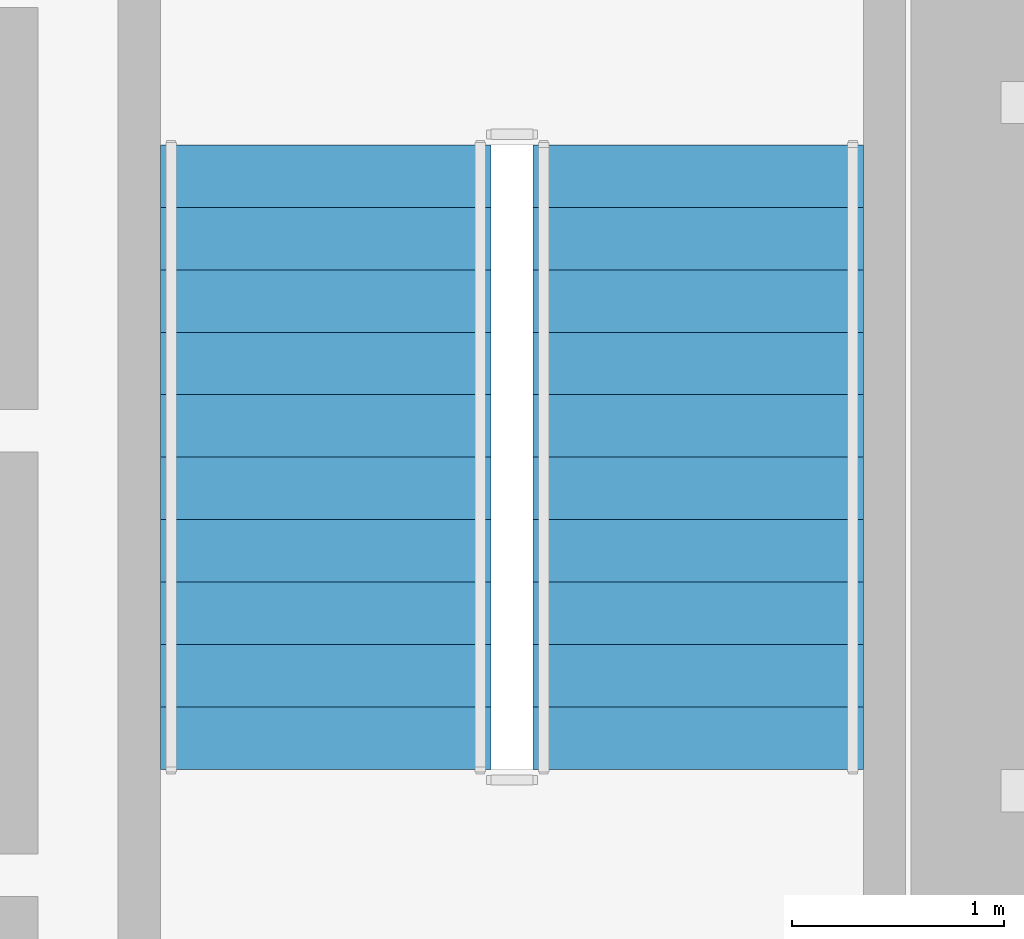
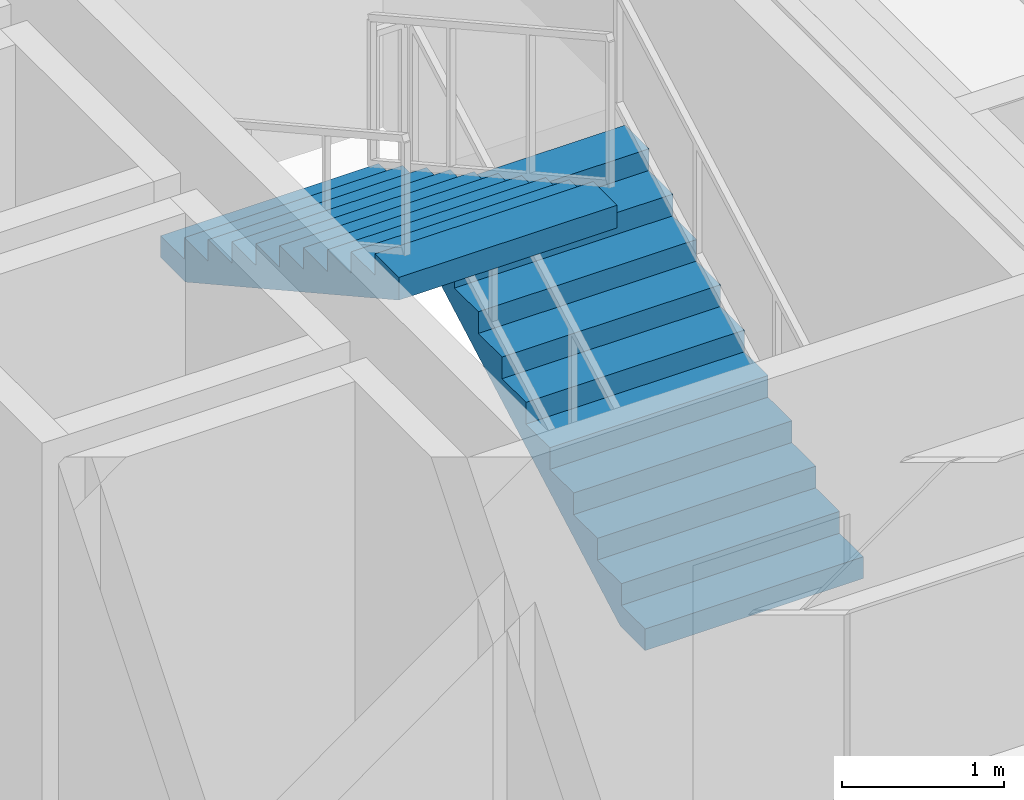
# One storey, part 28 of 31: 2 stair flights, 1 element without a shape of its own.
"""IFC4 building model written with IfcOpenShell, lengths in metres."""

from ifc_helpers import new_model, si_unit, direction, frame, origin, place, context, subcontext, project, spatial, polyline, outline, extrude, material, type_object, element, aggregate, save


model = new_model("IFC4")

# Units and contexts
model_context = context("Model", 3, precision=1e-05, world=origin(), true_north=direction((0.0, 1.0)))
body_context = subcontext(model_context, "Body", "Model", "MODEL_VIEW")
ifc_project = project(units=[si_unit("LENGTHUNIT", "METRE"), si_unit("AREAUNIT", "SQUARE_METRE"), si_unit("VOLUMEUNIT", "CUBIC_METRE"), si_unit("PLANEANGLEUNIT", "RADIAN"), si_unit("MASSUNIT", "GRAM", prefix="KILO")], contexts=[model_context])

# Site, building, storey
site_placement = place(None, origin())
site = spatial("IfcSite", under=ifc_project, at=site_placement, CompositionType="ELEMENT")
building_placement = place(site_placement, origin())
building = spatial("IfcBuilding", under=site, at=building_placement, Name="Brelmoor Portico Tower", CompositionType="ELEMENT")
storey_placement = place(building_placement, frame((0.0, 0.0, 42.0)))
storey = spatial("IfcBuildingStorey", under=building, at=storey_placement, Name="L10", CompositionType="ELEMENT", Elevation=42.0)

# Stair, stair flights
ifc_material = material(Name="Concrete C40", Category="concrete")
stair_type = type_object("IfcStairType", Name="ST-CORE-E", PredefinedType="HALF_TURN_STAIR", material=ifc_material)
stair_placement = place(storey_placement, origin())
stair = element("IfcStair", 1, at=stair_placement, inside=storey, type_object=stair_type, Name="L10 Protected Core Exit Stair ST-E", PredefinedType="HALF_TURN_STAIR")
stair_flight_type = type_object("IfcStairFlightType", Name="SF-CORE-1850", PredefinedType="STRAIGHT", material=ifc_material)
stair_flight_1_placement = place(storey_placement, frame((13.27001953125, 3.35009765625, 0.0), z_axis=(0.0, 0.0, 1.0), x_axis=(0.0, 1.0, 0.0)))
stair_flight_1 = element("IfcStairFlight", 2, at=stair_flight_1_placement, type_object=stair_flight_type, Name="ST-E flight 1", NumberOfRisers=11, NumberOfTreads=10, PredefinedType="STRAIGHT", RiserHeight=0.163636364, TreadLength=0.295, context=body_context, shape_type="SweptSolid", body=[
    extrude(outline(polyline([(0.0, 0.0), (0.0, 0.16357421875), (0.294921875, 0.16357421875), (0.294921875, 0.327392578125), (0.590087890625, 0.327392578125), (0.590087890625, 0.490966796875), (0.885009765625, 0.490966796875), (0.885009765625, 0.654541015625), (1.179931640625, 0.654541015625), (1.179931640625, 0.818115234375), (1.47509765625, 0.818115234375), (1.47509765625, 0.98193359375), (1.77001953125, 0.98193359375), (1.77001953125, 1.1455078125), (2.06494140625, 1.1455078125), (2.06494140625, 1.30908203125), (2.360107421875, 1.30908203125), (2.360107421875, 1.47265625), (2.655029296875, 1.47265625), (2.655029296875, 1.636474609375), (2.949951171875, 1.636474609375), (2.949951171875, 1.800048828125), (2.949951171875, 1.46484375), (0.30908203125, 0.0), (0.0, 0.0)])), frame((0.0, 0.780029296875, 0.0), z_axis=(0.0, -1.0, 0.0), x_axis=(1.0, 0.0, 0.0)), (0.0, 0.0, 1.0), 1.56005859375),
])
stair_flight_2_placement = place(storey_placement, frame((11.510009765625, 6.300048828125, 1.800048828125), z_axis=(0.0, 0.0, 1.0), x_axis=(0.0, -1.0, 0.0)))
stair_flight_2 = element("IfcStairFlight", 3, at=stair_flight_2_placement, type_object=stair_flight_type, Name="ST-E flight 2", NumberOfRisers=11, NumberOfTreads=10, PredefinedType="STRAIGHT", RiserHeight=0.163636364, TreadLength=0.295, context=body_context, shape_type="SweptSolid", body=[
    extrude(outline(polyline([(0.0, 0.0), (0.0, 0.16357421875), (0.294921875, 0.16357421875), (0.294921875, 0.327392578125), (0.590087890625, 0.327392578125), (0.590087890625, 0.490966796875), (0.885009765625, 0.490966796875), (0.885009765625, 0.654541015625), (1.179931640625, 0.654541015625), (1.179931640625, 0.818115234375), (1.47509765625, 0.818115234375), (1.47509765625, 0.98193359375), (1.77001953125, 0.98193359375), (1.77001953125, 1.1455078125), (2.06494140625, 1.1455078125), (2.06494140625, 1.30908203125), (2.360107421875, 1.30908203125), (2.360107421875, 1.47265625), (2.655029296875, 1.47265625), (2.655029296875, 1.636474609375), (2.949951171875, 1.636474609375), (2.949951171875, 1.800048828125), (2.949951171875, 1.46484375), (0.30908203125, 0.0), (0.0, 0.0)])), frame((0.0, 0.780029296875, 0.0), z_axis=(0.0, -1.0, 0.0), x_axis=(1.0, 0.0, 0.0)), (0.0, 0.0, 1.0), 1.56005859375),
])
aggregate(stair, [stair_flight_1, stair_flight_2])

save(model, "model.ifc")
